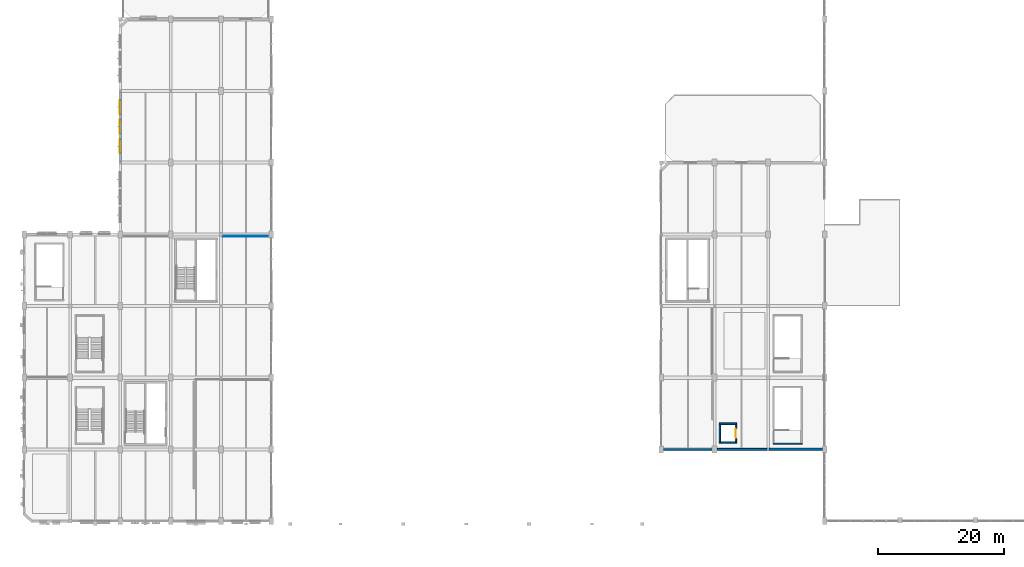
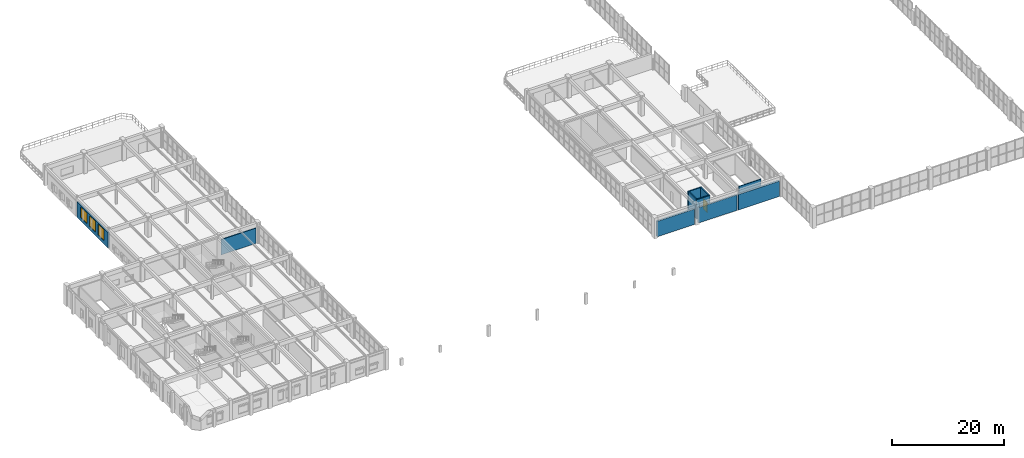
# One storey, part 66 of 80: 10 walls, 3 windows, 1 door, 4 openings.
"""IFC4 building model written with IfcOpenShell, lengths in metres."""

from ifc_helpers import new_model, si_unit, direction, frame, frame_2d, origin, place, context, subcontext, project, spatial, rectangle, extrude, material, layer, layer_set, type_object, element, fill, save


model = new_model("IFC4")

# Units and contexts
model_context = context("Model", 3, precision=1e-05, world=origin(), true_north=direction((0.0, 1.0)))
body_context = subcontext(model_context, "Body", "Model", "MODEL_VIEW")
ifc_project = project(units=[si_unit("LENGTHUNIT", "METRE"), si_unit("AREAUNIT", "SQUARE_METRE"), si_unit("VOLUMEUNIT", "CUBIC_METRE"), si_unit("PLANEANGLEUNIT", "RADIAN"), si_unit("MASSUNIT", "GRAM", prefix="KILO"), si_unit("POWERUNIT", "WATT"), si_unit("THERMODYNAMICTEMPERATUREUNIT", "KELVIN")], contexts=[model_context])

# Site, building, storey
site_placement = place(None, origin())
site = spatial("IfcSite", under=ifc_project, at=site_placement, CompositionType="ELEMENT")
building_placement = place(site_placement, origin())
building = spatial("IfcBuilding", under=site, at=building_placement, Name="Kelmbourne Parkland Aquatics Centre", CompositionType="ELEMENT")
storey_placement = place(building_placement, frame((0.0, 0.0, 10.199951171875)))
storey = spatial("IfcBuildingStorey", under=building, at=storey_placement, Name="L02", CompositionType="ELEMENT", Elevation=10.199951171875)

# Walls
ifc_material_1 = material(Name="Concrete C40/50", Category="concrete")
ifc_layer_1 = layer(ifc_material_1, 0.25)
ifc_layer_set_1 = layer_set([ifc_layer_1], Name="Concrete C40/50")
wall_type_1 = type_object("IfcWallType", Name="W-CORE-250", PredefinedType="SHEAR", material=ifc_layer_set_1)
for number, where, z_axis, x_axis, name in (
    (1, (111.199951171875, 13.324951171875, 0.0), (0.0, 0.0, 1.0), (1.0, 0.0, 0.0), "Goods lift south wall (L02)"),
    (2, (111.199951171875, 16.27490234375, 0.0), (0.0, 0.0, 1.0), (1.0, 0.0, 0.0), "Goods lift north wall (L02)"),
):
    element("IfcWall", number, at=place(storey_placement, frame(where, z_axis=z_axis, x_axis=x_axis)), inside=storey, type_object=wall_type_1, Name=name, PredefinedType="SHEAR", context=body_context, shape_type="SweptSolid", body=[
        extrude(rectangle(XDim=2.800048828125, YDim=0.25, at=frame_2d((1.39990234375, 0.0))), origin(), (0.0, 0.0, 1.0), 4.260009765625),
    ])
wall_1_placement = place(storey_placement, frame((111.324951171875, 13.449951171875, 0.0), z_axis=(0.0, 0.0, 1.0), x_axis=(0.0, 1.0, 0.0)))
element("IfcWall", 3, at=wall_1_placement, inside=storey, type_object=wall_type_1, Name="Goods lift west wall (L02)", PredefinedType="SHEAR", context=body_context, shape_type="SweptSolid", body=[
    extrude(rectangle(XDim=2.699951171875, YDim=0.25, at=frame_2d((1.35009765625, 0.0))), origin(), (0.0, 0.0, 1.0), 4.260009765625),
])

# Wall, opening, door
wall_2_placement = place(storey_placement, frame((113.875, 13.449951171875, 0.0), z_axis=(0.0, 0.0, 1.0), x_axis=(0.0, 1.0, 0.0)))
wall_2 = element("IfcWall", 4, at=wall_2_placement, inside=storey, type_object=wall_type_1, Name="Goods lift east wall (L02)", PredefinedType="SHEAR", context=body_context, shape_type="SweptSolid", body=[
    extrude(rectangle(XDim=2.699951171875, YDim=0.25, at=frame_2d((1.35009765625, 0.0))), origin(), (0.0, 0.0, 1.0), 4.260009765625),
])
opening_1_placement = place(wall_2_placement, frame((0.550048828125, 0.0, 0.0)))
opening_1 = element("IfcOpeningElement", 5, at=opening_1_placement, cuts=wall_2, Name="Opening LD03", PredefinedType="OPENING", context=body_context, shape_type="SweptSolid", body=[
    extrude(rectangle(XDim=1.5, YDim=2.300048828125, at=frame_2d((0.75, 1.14990234375))), frame((0.0, 0.136962890625, 0.0), z_axis=(0.0, -1.0, 0.0), x_axis=(1.0, 0.0, 0.0)), (0.0, 0.0, 1.0), 0.27392578125),
])
ifc_material_2 = material(Name="Marine-grade stainless steel and fire-rated hardwood doorset", Category="steel")
ifc_layer_2 = layer(ifc_material_2, 0.050048828125)
ifc_layer_set_2 = layer_set([ifc_layer_2], Name="Marine-grade stainless steel and fire-rated hardwood doorset")
door_type = type_object("IfcDoorType", Name="DR-LD-150", OperationType="NOTDEFINED", PredefinedType="DOOR", material=ifc_layer_set_2)
door_placement = place(opening_1_placement, origin())
door = element("IfcDoor", 6, at=door_placement, inside=storey, type_object=door_type, Name="Goods lift landing door LF06 (L02)", OperationType="SLIDING_TO_LEFT", OverallHeight=2.300048828125, OverallWidth=1.5, PredefinedType="DOOR", context=body_context, shape_type="SweptSolid", body=[
    extrude(rectangle(XDim=1.5, YDim=2.300048828125, at=frame_2d((0.75, 1.14990234375))), frame((0.0, 0.02490234375, 0.0), z_axis=(0.0, -1.0, 0.0), x_axis=(1.0, 0.0, 0.0)), (0.0, 0.0, 1.0), 0.050048828125),
])
fill(opening_1, door)

# Wall, openings, windows
ifc_material_3 = material(Name="Russet clinker clay brickwork", Category="masonry")
ifc_layer_3 = layer(ifc_material_3, 0.31005859375)
ifc_layer_set_3 = layer_set([ifc_layer_3], Name="Russet clinker clay brickwork")
wall_type_2 = type_object("IfcWallType", Name="W-EXT-310", PredefinedType="STANDARD", material=ifc_layer_set_3)
wall_3_placement = place(storey_placement, frame((16.0, 57.951904296875, 0.0), z_axis=(0.0, 0.0, 1.0), x_axis=(0.0, 1.0, 0.0)))
wall_3 = element("IfcWall", 7, at=wall_3_placement, inside=storey, type_object=wall_type_2, Name="Exterior polychrome brick wall EW-L02-104", PredefinedType="STANDARD", context=body_context, shape_type="SweptSolid", body=[
    extrude(rectangle(XDim=11.12109375, YDim=0.31005859375, at=frame_2d((5.560546875, 0.0))), origin(), (0.0, 0.0, 1.0), 3.344970703125),
])
opening_2_placement = place(wall_3_placement, frame((1.35009765625, 0.0, 0.75)))
opening_2 = element("IfcOpeningElement", 8, at=opening_2_placement, cuts=wall_3, Name="Opening W19", PredefinedType="OPENING", context=body_context, shape_type="SweptSolid", body=[
    extrude(rectangle(XDim=2.199951171875, YDim=2.35009765625, at=frame_2d((1.10009765625, 1.175048828125))), frame((0.0, 0.1669921875, 0.0), z_axis=(0.0, -1.0, 0.0), x_axis=(1.0, 0.0, 0.0)), (0.0, 0.0, 1.0), 0.333984375),
])
opening_3_placement = place(wall_3_placement, frame((4.46044921875, 0.0, 0.75)))
opening_3 = element("IfcOpeningElement", 9, at=opening_3_placement, cuts=wall_3, Name="Opening W19", PredefinedType="OPENING", context=body_context, shape_type="SweptSolid", body=[
    extrude(rectangle(XDim=2.199951171875, YDim=2.35009765625, at=frame_2d((1.10009765625, 1.175048828125))), frame((0.0, 0.1669921875, 0.0), z_axis=(0.0, -1.0, 0.0), x_axis=(1.0, 0.0, 0.0)), (0.0, 0.0, 1.0), 0.333984375),
])
opening_4_placement = place(wall_3_placement, frame((7.571044921875, 0.0, 0.75)))
opening_4 = element("IfcOpeningElement", 10, at=opening_4_placement, cuts=wall_3, Name="Opening W19", PredefinedType="OPENING", context=body_context, shape_type="SweptSolid", body=[
    extrude(rectangle(XDim=2.199951171875, YDim=2.35009765625, at=frame_2d((1.10009765625, 1.175048828125))), frame((0.0, 0.1669921875, 0.0), z_axis=(0.0, -1.0, 0.0), x_axis=(1.0, 0.0, 0.0)), (0.0, 0.0, 1.0), 0.333984375),
])
ifc_material_4 = material(Name="Thermally broken anodised aluminium window with low-e glass", Category="aluminium")
ifc_layer_4 = layer(ifc_material_4, 0.090087890625)
ifc_layer_set_4 = layer_set([ifc_layer_4], Name="Thermally broken anodised aluminium window with low-e glass")
window_type = type_object("IfcWindowType", Name="WN-19", PartitioningType="DOUBLE_PANEL_VERTICAL", PredefinedType="WINDOW", material=ifc_layer_set_4)
window_1_placement = place(opening_2_placement, origin())
window_1 = element("IfcWindow", 11, at=window_1_placement, inside=storey, type_object=window_type, Name="Deep-reveal masonry window W19", OverallHeight=2.35009765625, OverallWidth=2.199951171875, PartitioningType="DOUBLE_PANEL_VERTICAL", PredefinedType="WINDOW", context=body_context, shape_type="SweptSolid", body=[
    extrude(rectangle(XDim=2.199951171875, YDim=2.35009765625, at=frame_2d((1.10009765625, 1.175048828125))), frame((0.0, 0.080078125, 0.0), z_axis=(0.0, -1.0, 0.0), x_axis=(1.0, 0.0, 0.0)), (0.0, 0.0, 1.0), 0.06005859375),
])
fill(opening_2, window_1)
window_2_placement = place(opening_3_placement, origin())
window_2 = element("IfcWindow", 12, at=window_2_placement, inside=storey, type_object=window_type, Name="Deep-reveal masonry window W19", OverallHeight=2.35009765625, OverallWidth=2.199951171875, PartitioningType="DOUBLE_PANEL_VERTICAL", PredefinedType="WINDOW", context=body_context, shape_type="SweptSolid", body=[
    extrude(rectangle(XDim=2.199951171875, YDim=2.35009765625, at=frame_2d((1.10009765625, 1.175048828125))), frame((0.0, 0.080078125, 0.0), z_axis=(0.0, -1.0, 0.0), x_axis=(1.0, 0.0, 0.0)), (0.0, 0.0, 1.0), 0.06005859375),
])
fill(opening_3, window_2)
window_3_placement = place(opening_4_placement, origin())
window_3 = element("IfcWindow", 13, at=window_3_placement, inside=storey, type_object=window_type, Name="Deep-reveal masonry window W19", OverallHeight=2.35009765625, OverallWidth=2.199951171875, PartitioningType="DOUBLE_PANEL_VERTICAL", PredefinedType="WINDOW", context=body_context, shape_type="SweptSolid", body=[
    extrude(rectangle(XDim=2.199951171875, YDim=2.35009765625, at=frame_2d((1.10009765625, 1.175048828125))), frame((0.0, 0.080078125, 0.0), z_axis=(0.0, -1.0, 0.0), x_axis=(1.0, 0.0, 0.0)), (0.0, 0.0, 1.0), 0.06005859375),
])
fill(opening_4, window_3)

# Walls
wall_4_placement = place(storey_placement, frame((110.876953125, 12.199951171875, 0.0), z_axis=(0.0, 0.0, 1.0), x_axis=(1.0, 0.0, 0.0)))
element("IfcWall", 14, at=wall_4_placement, inside=storey, type_object=wall_type_2, Name="Exterior polychrome brick wall EW-L02-113", PredefinedType="STANDARD", context=body_context, shape_type="SweptSolid", body=[
    extrude(rectangle(XDim=7.99609375, YDim=0.31005859375, at=frame_2d((3.998046875, 0.0))), origin(), (0.0, 0.0, 1.0), 3.344970703125),
])
ifc_material_5 = material(Name="Polychrome glazed brick header coursework", Category="masonry")
ifc_layer_5 = layer(ifc_material_5, 0.35009765625)
ifc_layer_set_5 = layer_set([ifc_layer_5], Name="Polychrome glazed brick header coursework")
wall_type_3 = type_object("IfcWallType", Name="W-EXT-350", PredefinedType="STANDARD", material=ifc_layer_set_5)
wall_5_placement = place(storey_placement, frame((102.376953125, 12.199951171875, 0.0), z_axis=(0.0, 0.0, 1.0), x_axis=(1.0, 0.0, 0.0)))
element("IfcWall", 15, at=wall_5_placement, inside=storey, type_object=wall_type_3, Name="Exterior polychrome brick wall EW-L02-112", PredefinedType="STANDARD", context=body_context, shape_type="SweptSolid", body=[
    extrude(rectangle(XDim=7.74609375, YDim=0.35009765625, at=frame_2d((3.873046875, 0.0))), origin(), (0.0, 0.0, 1.0), 3.344970703125),
])
ifc_layer_6 = layer(ifc_material_3, 0.389892578125)
ifc_layer_set_6 = layer_set([ifc_layer_6], Name="Russet clinker clay brickwork")
wall_type_4 = type_object("IfcWallType", Name="W-EXT-390", PredefinedType="STANDARD", material=ifc_layer_set_6)
wall_6_placement = place(storey_placement, frame((119.126953125, 12.199951171875, 0.0), z_axis=(0.0, 0.0, 1.0), x_axis=(1.0, 0.0, 0.0)))
element("IfcWall", 16, at=wall_6_placement, inside=storey, type_object=wall_type_4, Name="Exterior polychrome brick wall EW-L02-114", PredefinedType="STANDARD", context=body_context, shape_type="SweptSolid", body=[
    extrude(rectangle(XDim=8.49609375, YDim=0.389892578125, at=frame_2d((4.248046875, 0.0))), origin(), (0.0, 0.0, 1.0), 3.344970703125),
])
ifc_material_6 = material(Name="Concrete blockwork C32/40", Category="masonry")
ifc_layer_7 = layer(ifc_material_6, 0.199951171875)
ifc_layer_set_7 = layer_set([ifc_layer_7], Name="Concrete blockwork C32/40")
wall_type_5 = type_object("IfcWallType", Name="W-FIRE-200", PredefinedType="SOLIDWALL", material=ifc_layer_set_7)
wall_7_placement = place(storey_placement, frame((119.800048828125, 13.10009765625, 0.0), z_axis=(0.0, 0.0, 1.0), x_axis=(1.0, 0.0, 0.0)))
element("IfcWall", 17, at=wall_7_placement, inside=storey, type_object=wall_type_5, Name="South East Concourse Exit Stair south enclosure (L02)", PredefinedType="SOLIDWALL", context=body_context, shape_type="SweptSolid", body=[
    extrude(rectangle(XDim=4.599853515625, YDim=0.199951171875, at=frame_2d((2.2998046875, 0.0))), origin(), (0.0, 0.0, 1.0), 4.260009765625),
])
ifc_material_7 = material(Name="Moisture-resistant acoustic stud partition", Category="gypsum")
ifc_layer_8 = layer(ifc_material_7, 0.14990234375)
ifc_layer_set_8 = layer_set([ifc_layer_8], Name="Moisture-resistant acoustic stud partition")
wall_type_6 = type_object("IfcWallType", Name="W-PART-150", PredefinedType="PARTITIONING", material=ifc_layer_set_8)
wall_8_placement = place(storey_placement, frame((32.277099609375, 46.10009765625, 0.0), z_axis=(0.0, 0.0, 1.0), x_axis=(1.0, 0.0, 0.0)))
element("IfcWall", 18, at=wall_8_placement, inside=storey, type_object=wall_type_6, Name="Interior partition PT-L02-084", PredefinedType="PARTITIONING", context=body_context, shape_type="SweptSolid", body=[
    extrude(rectangle(XDim=7.1728515625, YDim=0.14990234375, at=frame_2d((3.58642578125, 0.0))), origin(), (0.0, 0.0, 1.0), 3.344970703125),
])

save(model, "model.ifc")
